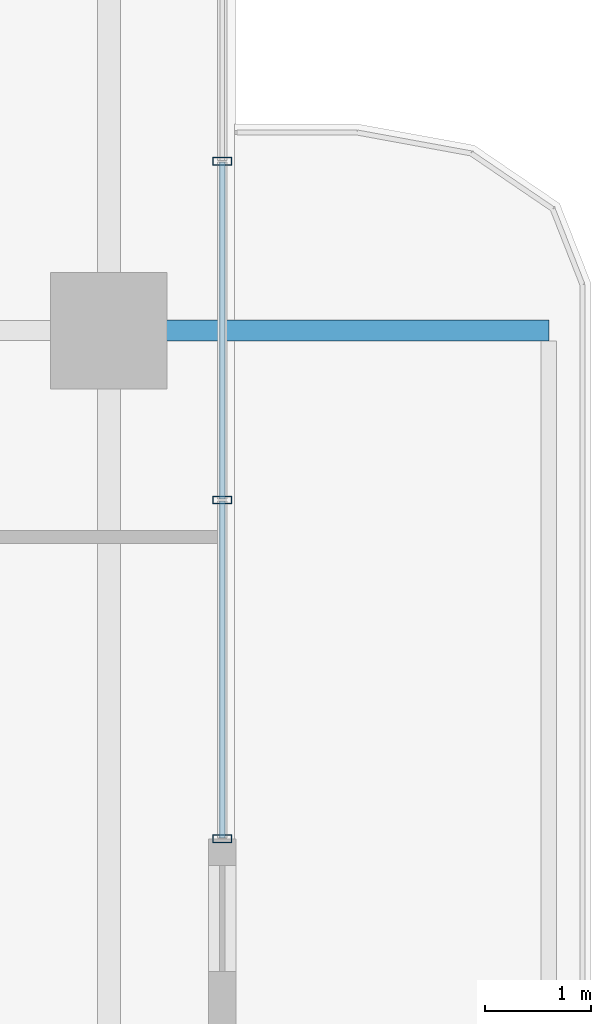
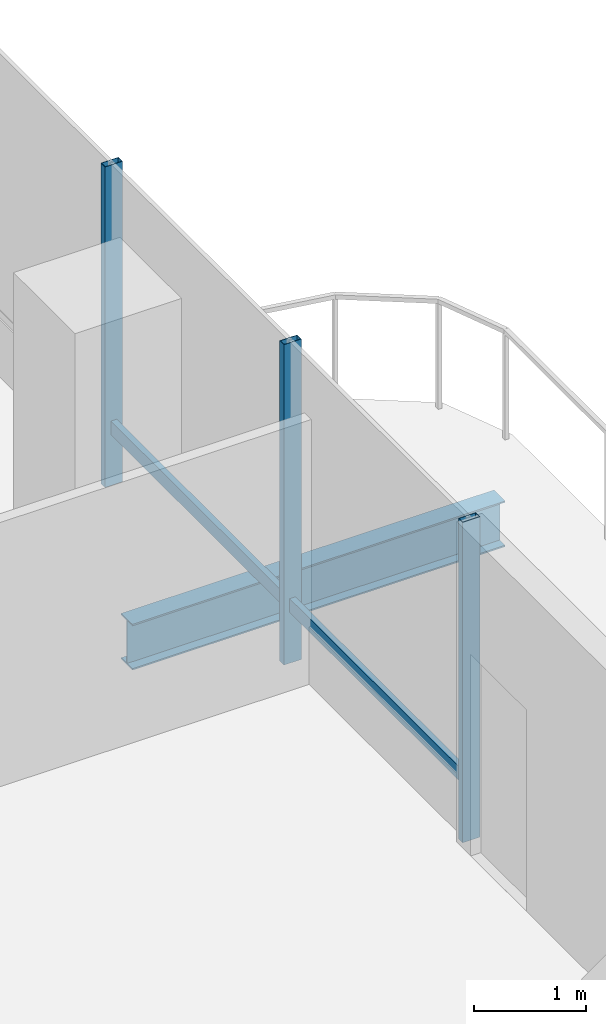
# One storey, part 8 of 23: 5 members, 1 beam, 1 element without a shape of its own.
"""IFC4 building model written with IfcOpenShell, lengths in metres."""

import ifcopenshell
import ifcopenshell.guid

model = None  # the IFC model being written
_history = None  # IfcOwnerHistory: only IFC2X3 demands one
_inside = {}  # id of a spatial element -> (the spatial element, [elements in it])
_under = {}  # id of a project, library or spatial element -> (it, [spatial elements below it])
_declared = {}  # id of a project -> (the project, [libraries it declares])
_typed = {}  # id of a type object -> (the type object, [elements of that type])
_made_of = {}  # id of a material, layer set ... -> (it, [elements and type objects made of it])


def new_model(schema):
    """Start an empty IFC model of exactly this schema.

    Asked for "IFC4X3", IfcOpenShell would pick the latest addendum, in which some entities
    have other attributes; the version numbers below select the first issue.
    IFC2X3 requires an IfcOwnerHistory on every rooted entity: one is made here for all.
    """
    global model, _history
    if schema == "IFC4X3":
        model = ifcopenshell.file(schema_version=(4, 3, 0, 0))
    else:
        model = ifcopenshell.file(schema=schema)
    _inside.clear()
    _under.clear()
    _declared.clear()
    _typed.clear()
    _made_of.clear()
    _history = None
    if model.schema == "IFC2X3":
        org = make("IfcOrganization", Name="unknown")
        user = make(
            "IfcPersonAndOrganization",
            ThePerson=make("IfcPerson", FamilyName="unknown"),
            TheOrganization=org,
        )
        app = make(
            "IfcApplication",
            ApplicationDeveloper=org,
            Version="unknown",
            ApplicationFullName="unknown",
            ApplicationIdentifier="unknown",
        )
        _history = make(
            "IfcOwnerHistory",
            OwningUser=user,
            OwningApplication=app,
            ChangeAction="ADDED",
            CreationDate=0,
        )
    return model


def make(cls, **values):
    """One entity of the class cls with the attributes given. An attribute that is None is left unset."""
    return model.create_entity(
        cls, **{name: value for name, value in values.items() if value is not None}
    )


def rooted(cls, **values):
    """An entity with a GlobalId (a new one), such as an element, a storey or a relation."""
    return make(cls, GlobalId=ifcopenshell.guid.new(), OwnerHistory=_history, **values)


def si_unit(unit_type, name, prefix=None):
    """IfcSIUnit, for example si_unit("LENGTHUNIT", "METRE", prefix="MILLI")."""
    return make("IfcSIUnit", UnitType=unit_type, Prefix=prefix, Name=name)


def assignment(units):
    """IfcUnitAssignment: the units of a project."""
    return None if units is None else make("IfcUnitAssignment", Units=units)


def point(xyz):
    """IfcCartesianPoint."""
    return None if xyz is None else make("IfcCartesianPoint", Coordinates=xyz)


def direction(xyz):
    """IfcDirection."""
    return None if xyz is None else make("IfcDirection", DirectionRatios=xyz)


def frame(location, z_axis=None, x_axis=None):
    """IfcAxis2Placement3D, a coordinate frame: its origin and axes. An axis left out is left unset."""
    return make(
        "IfcAxis2Placement3D",
        Location=point(location),
        Axis=direction(z_axis),
        RefDirection=direction(x_axis),
    )


def frame_2d(location, x_axis=None):
    """IfcAxis2Placement2D, a coordinate frame in the plane: its origin and x axis."""
    return make(
        "IfcAxis2Placement2D", Location=point(location), RefDirection=direction(x_axis)
    )


def origin():
    """The frame at (0, 0, 0) with its axes left unset."""
    return frame((0.0, 0.0, 0.0))


def origin_2d():
    """The frame at (0, 0) in the plane with its x axis left unset."""
    return frame_2d((0.0, 0.0))


def place(relative_to, where):
    """IfcLocalPlacement: puts the frame where relative to a parent placement (None: the world)."""
    return make(
        "IfcLocalPlacement", PlacementRelTo=relative_to, RelativePlacement=where
    )


def context(
    kind, dimensions, precision=None, world=None, true_north=None, identifier=None
):
    """IfcGeometricRepresentationContext, for example the 3D "Model" context."""
    return make(
        "IfcGeometricRepresentationContext",
        ContextIdentifier=identifier,
        ContextType=kind,
        CoordinateSpaceDimension=dimensions,
        Precision=precision,
        WorldCoordinateSystem=world,
        TrueNorth=true_north,
    )


def subcontext(parent, identifier, kind, view, scale=None):
    """IfcGeometricRepresentationSubContext, for example "Body" below "Model"."""
    return make(
        "IfcGeometricRepresentationSubContext",
        ContextIdentifier=identifier,
        ContextType=kind,
        ParentContext=parent,
        TargetScale=scale,
        TargetView=view,
    )


def project(units=None, contexts=None):
    """IfcProject with its units and contexts."""
    return rooted(
        "IfcProject",
        Name="project",
        RepresentationContexts=contexts,
        UnitsInContext=assignment(units),
    )


def spatial(cls, under=None, at=None, **own):
    """A site, building, storey or space (cls), placed at a placement, below another one or the project."""
    s = rooted(cls, ObjectPlacement=at, **own)
    if under is not None:
        _under.setdefault(under.id(), (under, []))[1].append(s)
    return s


def profile(cls, at=None, kind="AREA", **sizes):
    """A parametric profile (cls). Its sizes go by their IFC names, for example OverallWidth=200.0."""
    return make(cls, ProfileType=kind, Position=at, **sizes)


def hollow_rectangle(**sizes):
    """IfcRectangleHollowProfileDef."""
    return profile("IfcRectangleHollowProfileDef", **sizes)


def i_section(**sizes):
    """IfcIShapeProfileDef."""
    return profile("IfcIShapeProfileDef", **sizes)


def extrude(swept, where, along, depth):
    """IfcExtrudedAreaSolid: the profile swept, set in the frame where, extruded along a direction by depth."""
    return make(
        "IfcExtrudedAreaSolid",
        SweptArea=swept,
        Position=where,
        ExtrudedDirection=direction(along),
        Depth=depth,
    )


def shape(context_of_items, identifier, shape_type, items):
    """IfcShapeRepresentation: the items that make up one representation, for example the "Body"."""
    return make(
        "IfcShapeRepresentation",
        ContextOfItems=context_of_items,
        RepresentationIdentifier=identifier,
        RepresentationType=shape_type,
        Items=items,
    )


def material(Name=None, Category=None):
    """IfcMaterial."""
    return make("IfcMaterial", Name=Name, Category=Category)


def layer(
    of_material, thickness, ventilated=None, Name=None, Category=None, Priority=None
):
    """IfcMaterialLayer: one layer of a wall or slab, of a material (None: an air gap)."""
    return make(
        "IfcMaterialLayer",
        Material=of_material,
        LayerThickness=thickness,
        IsVentilated=ventilated,
        Name=Name,
        Category=Category,
        Priority=Priority,
    )


def layer_set(layers, Name=None):
    """IfcMaterialLayerSet."""
    return make("IfcMaterialLayerSet", MaterialLayers=layers, LayerSetName=Name)


def material_profile(
    of_material, cross_section, Name=None, Category=None, Priority=None
):
    """IfcMaterialProfile: a cross section and its material."""
    return make(
        "IfcMaterialProfile",
        Name=Name,
        Material=of_material,
        Profile=cross_section,
        Priority=Priority,
        Category=Category,
    )


def profile_set(profiles, Name=None, composite=None):
    """IfcMaterialProfileSet."""
    return make(
        "IfcMaterialProfileSet",
        Name=Name,
        MaterialProfiles=profiles,
        CompositeProfile=composite,
    )


def made_of(thing, what):
    """Note that an element or type object is made of a material, layer set ...; save() writes the relation."""
    if what is not None:
        _made_of.setdefault(what.id(), (what, []))[1].append(thing)
    return thing


def type_object(cls, material=None, **own):
    """A type object (cls), such as IfcWallType, which elements share."""
    return made_of(rooted(cls, **own), material)


def element(
    cls,
    number,
    at=None,
    inside=None,
    cuts=None,
    type_object=None,
    material=None,
    context=None,
    identifier="Body",
    shape_type=None,
    held_by="IfcProductDefinitionShape",
    body=None,
    shapes=None,
    **own,
):
    """One element of the class cls, such as IfcWall. Its Tag is "e" and its number.

    at: its placement. inside: the storey or other place that contains it. cuts: it is an
    opening in that element (IfcRelVoidsElement). A single representation is given by context,
    identifier, shape_type and body (its items); several are given by shapes. held_by: the class
    of the entity that holds the representations. save() writes the other relations.
    """
    e = rooted(cls, Tag="e%d" % number, ObjectPlacement=at, **own)
    if body is not None:
        shapes = [shape(context, identifier, shape_type, body)]
    if shapes is not None:
        e.Representation = make(held_by, Representations=shapes)
    if inside is not None:
        _inside.setdefault(inside.id(), (inside, []))[1].append(e)
    if cuts is not None:
        rooted(
            "IfcRelVoidsElement", RelatingBuildingElement=cuts, RelatedOpeningElement=e
        )
    if type_object is not None:
        _typed.setdefault(type_object.id(), (type_object, []))[1].append(e)
    return made_of(e, material)


def aggregate(whole, parts):
    """IfcRelAggregates: a whole, such as a stair, and the parts it consists of."""
    return rooted("IfcRelAggregates", RelatingObject=whole, RelatedObjects=parts)


def save(model, path):
    """Write the relations noted so far, then the file.

    IfcRelAggregates (storeys below a building ...), IfcRelContainedInSpatialStructure (elements
    in a storey), IfcRelDefinesByType, IfcRelAssociatesMaterial and IfcRelDeclares: one each for
    every whole, place, type object, material and project.
    """
    for whole, parts in _under.values():
        aggregate(whole, parts)
    for where, things in _inside.values():
        rooted(
            "IfcRelContainedInSpatialStructure",
            RelatedElements=things,
            RelatingStructure=where,
        )
    for kind, things in _typed.values():
        rooted("IfcRelDefinesByType", RelatedObjects=things, RelatingType=kind)
    for what, things in _made_of.values():
        rooted("IfcRelAssociatesMaterial", RelatedObjects=things, RelatingMaterial=what)
    for by, libraries in _declared.values():
        rooted("IfcRelDeclares", RelatingContext=by, RelatedDefinitions=libraries)
    model.write(path)


model = new_model("IFC4")

# Units and contexts
model_context = context("Model", 3, precision=1e-05, world=origin(), true_north=direction((0.0, 1.0)))
body_context = subcontext(model_context, "Body", "Model", "MODEL_VIEW")
ifc_project = project(units=[si_unit("LENGTHUNIT", "METRE"), si_unit("AREAUNIT", "SQUARE_METRE"), si_unit("VOLUMEUNIT", "CUBIC_METRE"), si_unit("PLANEANGLEUNIT", "RADIAN"), si_unit("MASSUNIT", "GRAM", prefix="KILO")], contexts=[model_context])

# Site, building, storey
site_placement = place(None, origin())
site = spatial("IfcSite", under=ifc_project, at=site_placement, CompositionType="ELEMENT")
building_placement = place(site_placement, origin())
building = spatial("IfcBuilding", under=site, at=building_placement, Name="Belovzor Exchange Tower", CompositionType="ELEMENT")
storey_placement = place(building_placement, frame((0.0, 0.0, 229.949951171875)))
storey = spatial("IfcBuildingStorey", under=building, at=storey_placement, Name="L57", CompositionType="ELEMENT", Elevation=229.949951171875)

# Beam
ifc_material_1 = material(Name="Steel S355", Category="steel")
ifc_material_profile_1 = material_profile(ifc_material_1, i_section(OverallWidth=0.199951171875, OverallDepth=0.5, WebThickness=0.01025390625, FlangeThickness=0.01611328125, at=origin_2d()))
ifc_profile_set_1 = profile_set([ifc_material_profile_1], Name="Steel S355")
beam_type = type_object("IfcBeamType", Name="Planted Balcony Cantilever Beam IPE 500", PredefinedType="BEAM", material=ifc_profile_set_1)
beam_placement = place(storey_placement, frame((54.903076171875, 28.800048828125, -0.5), z_axis=(1.0, 0.0, 0.0), x_axis=(0.0, 1.0, 0.0)))
element("IfcBeam", 1, at=beam_placement, inside=storey, type_object=beam_type, Name="BC-500 Planted Balcony Cantilever Beam IPE 500", PredefinedType="BEAM", context=body_context, shape_type="SweptSolid", body=[
    extrude(i_section(OverallWidth=0.199951171875, OverallDepth=0.5, WebThickness=0.01025390625, FlangeThickness=0.01611328125, at=origin_2d()), origin(), (0.0, 0.0, 1.0), 3.849853515625),
])

# Curtain wall, members
ifc_material_2 = material(Name="Anodised Aluminium Framing", Category="aluminium")
ifc_layer = layer(ifc_material_2, 0.179931640625)
ifc_layer_set = layer_set([ifc_layer], Name="Anodised Aluminium Framing")
curtain_wall_type = type_object("IfcCurtainWallType", Name="Recessed Loggia Low-Iron Triple-Glazed Curtain Wall", PredefinedType="NOTDEFINED", material=ifc_layer_set)
curtain_wall_placement = place(storey_placement, origin())
curtain_wall = element("IfcCurtainWall", 2, at=curtain_wall_placement, inside=storey, type_object=curtain_wall_type, Name="CW3 Recessed Loggia Low-Iron Triple-Glazed Curtain Wall L57", PredefinedType="NOTDEFINED")
ifc_material_3 = material(Name="Steel S355", Category="steel")
ifc_material_profile_2 = material_profile(ifc_material_3, hollow_rectangle(XDim=0.074951171875, YDim=0.179931640625, WallThickness=0.0048828125, at=origin_2d()))
ifc_profile_set_2 = profile_set([ifc_material_profile_2], Name="Steel S355")
member_type_1 = type_object("IfcMemberType", Name="Thermally Broken Curtain Wall Mullion 180x75", PredefinedType="MULLION", material=ifc_profile_set_2)
member_1_placement = place(storey_placement, frame((55.669921875, 30.39990234375, 0.0), z_axis=(0.0, 0.0, 1.0), x_axis=(0.0, -1.0, 0.0)))
member_1 = element("IfcMember", 3, at=member_1_placement, type_object=member_type_1, Name="CW-M180 Curtain Wall Mullion 2", PredefinedType="MULLION", context=body_context, shape_type="SweptSolid", body=[
    extrude(hollow_rectangle(XDim=0.074951171875, YDim=0.179931640625, WallThickness=0.0048828125, at=origin_2d()), origin(), (0.0, 0.0, 1.0), 3.5),
])
member_2_placement = place(storey_placement, frame((55.669921875, 27.199951171875, 0.0), z_axis=(0.0, 0.0, 1.0), x_axis=(0.0, -1.0, 0.0)))
member_2 = element("IfcMember", 4, at=member_2_placement, type_object=member_type_1, Name="CW-M180 Curtain Wall Mullion 3", PredefinedType="MULLION", context=body_context, shape_type="SweptSolid", body=[
    extrude(hollow_rectangle(XDim=0.074951171875, YDim=0.179931640625, WallThickness=0.0048828125, at=origin_2d()), origin(), (0.0, 0.0, 1.0), 3.5),
])
member_3_placement = place(storey_placement, frame((55.669921875, 24.0, 0.0), z_axis=(0.0, 0.0, 1.0), x_axis=(0.0, -1.0, 0.0)))
member_3 = element("IfcMember", 5, at=member_3_placement, type_object=member_type_1, Name="CW-M180 Curtain Wall Mullion 4", PredefinedType="MULLION", context=body_context, shape_type="SweptSolid", body=[
    extrude(hollow_rectangle(XDim=0.074951171875, YDim=0.179931640625, WallThickness=0.0048828125, at=origin_2d()), origin(), (0.0, 0.0, 1.0), 3.5),
])
ifc_material_4 = material(Name="Steel S355", Category="steel")
ifc_material_profile_3 = material_profile(ifc_material_4, hollow_rectangle(XDim=0.06005859375, YDim=0.14990234375, WallThickness=0.00390625, at=origin_2d()))
ifc_profile_set_3 = profile_set([ifc_material_profile_3], Name="Steel S355")
member_type_2 = type_object("IfcMemberType", Name="Thermally Broken Curtain Wall Transom 150x60", PredefinedType="USERDEFINED", material=ifc_profile_set_3)
member_4_placement = place(storey_placement, frame((55.669921875, 30.39208984375, 0.630126953125), z_axis=(0.0, -1.0, 0.0), x_axis=(1.0, 0.0, 0.0)))
member_4 = element("IfcMember", 6, at=member_4_placement, type_object=member_type_2, Name="CW-T150 Curtain Wall Transom 2", ObjectType="TRANSOM", PredefinedType="USERDEFINED", context=body_context, shape_type="SweptSolid", body=[
    extrude(hollow_rectangle(XDim=0.06005859375, YDim=0.14990234375, WallThickness=0.00390625, at=origin_2d()), origin(), (0.0, 0.0, 1.0), 3.18408203125),
])
member_5_placement = place(storey_placement, frame((55.669921875, 27.19189453125, 0.630126953125), z_axis=(0.0, -1.0, 0.0), x_axis=(1.0, 0.0, 0.0)))
member_5 = element("IfcMember", 7, at=member_5_placement, type_object=member_type_2, Name="CW-T150 Curtain Wall Transom 3", ObjectType="TRANSOM", PredefinedType="USERDEFINED", context=body_context, shape_type="SweptSolid", body=[
    extrude(hollow_rectangle(XDim=0.06005859375, YDim=0.14990234375, WallThickness=0.00390625, at=origin_2d()), origin(), (0.0, 0.0, 1.0), 3.183837890625),
])
aggregate(curtain_wall, [member_1, member_2, member_3, member_4, member_5])

save(model, "model.ifc")
